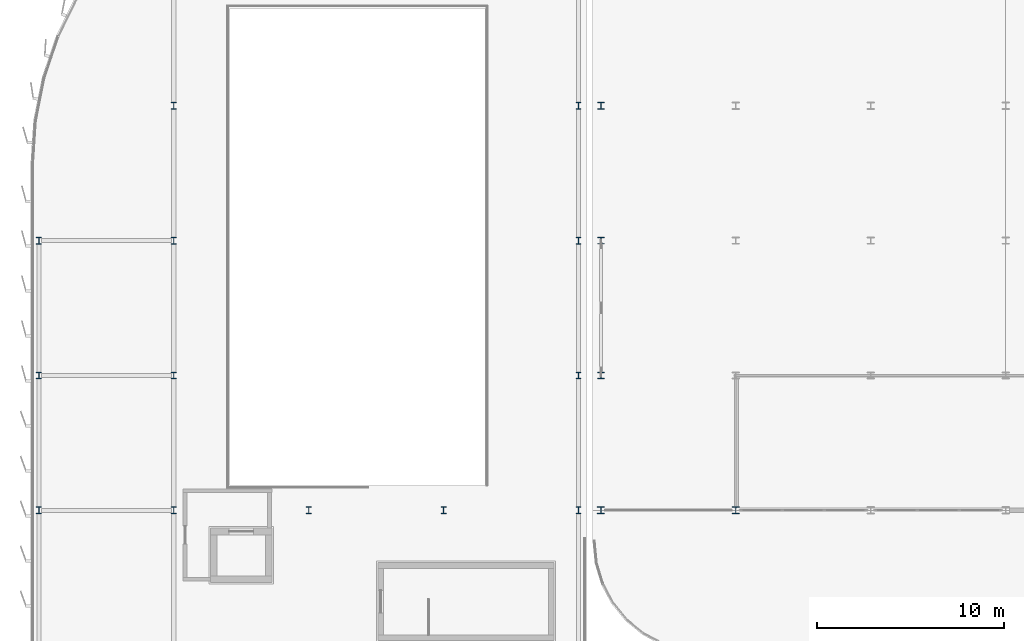
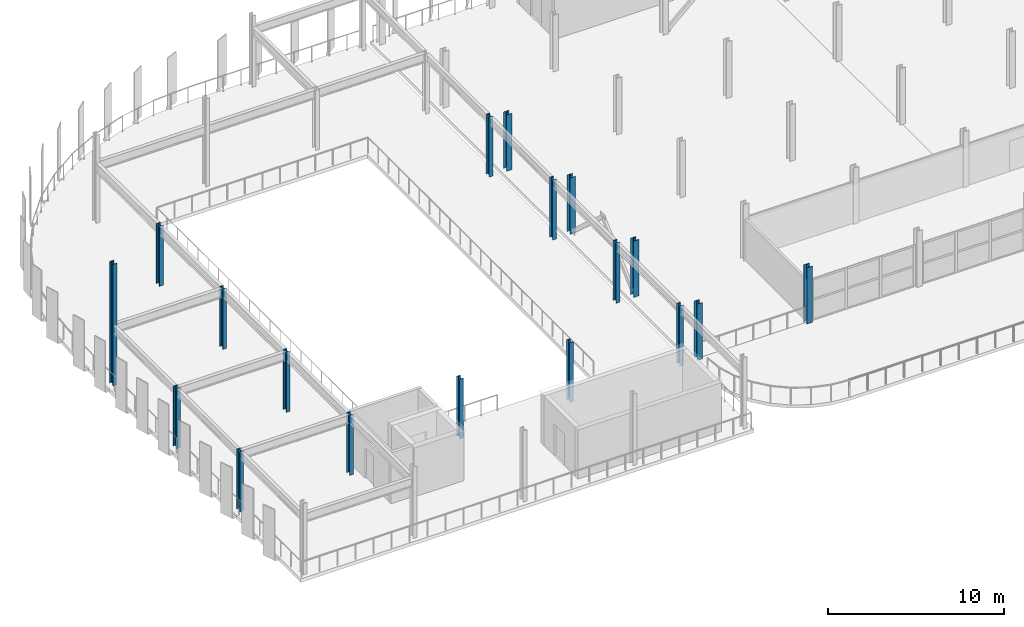
# One storey, part 3 of 40: 18 columns.
"""IFC4 building model written with IfcOpenShell, lengths in metres."""

from ifc_helpers import new_model, si_unit, direction, frame, origin, origin_2d, place, context, subcontext, project, spatial, i_section, extrude, material, material_profile, profile_set, type_object, element, save


model = new_model("IFC4")

# Units and contexts
model_context = context("Model", 3, precision=1e-05, world=origin(), true_north=direction((0.0, 1.0)))
body_context = subcontext(model_context, "Body", "Model", "MODEL_VIEW")
ifc_project = project(units=[si_unit("LENGTHUNIT", "METRE"), si_unit("AREAUNIT", "SQUARE_METRE"), si_unit("VOLUMEUNIT", "CUBIC_METRE"), si_unit("PLANEANGLEUNIT", "RADIAN"), si_unit("MASSUNIT", "GRAM", prefix="KILO")], contexts=[model_context])

# Site, building, storey
site_placement = place(None, origin())
site = spatial("IfcSite", under=ifc_project, at=site_placement, CompositionType="ELEMENT")
building_placement = place(site_placement, origin())
building = spatial("IfcBuilding", under=site, at=building_placement, Name="Vaelcorin Mobility Hub", CompositionType="ELEMENT")
storey_placement = place(building_placement, frame((0.0, 0.0, 17.10009765625)))
storey = spatial("IfcBuildingStorey", under=building, at=storey_placement, Name="L04", CompositionType="ELEMENT", Elevation=17.10009765625)

# Columns
ifc_material = material(Name="Steel ASTM A992 Grade 50", Category="steel")
ifc_material_profile_1 = material_profile(ifc_material, i_section(OverallWidth=0.37109375, OverallDepth=0.363037109375, WebThickness=0.01318359375, FlangeThickness=0.021728515625, FilletRadius=0.014892578125, at=origin_2d()), Name="W14X109")
ifc_profile_set_1 = profile_set([ifc_material_profile_1], Name="Steel ASTM A992 Grade 50")
column_type_1 = type_object("IfcColumnType", Name="COL-W14X109", PredefinedType="COLUMN", material=ifc_profile_set_1)
for number, where, z_axis, x_axis, name in (
    (1, (36.0, 84.0, 0.0), (0.0, 0.0, 1.0), (1.0, 0.0, 0.0), "Column V4-X01Y02 L04"),
    (2, (43.199951171875, 84.0, 0.0), (0.0, 0.0, 1.0), (1.0, 0.0, 0.0), "Column V4-X02Y02 L04"),
):
    element("IfcColumn", number, at=place(storey_placement, frame(where, z_axis=z_axis, x_axis=x_axis)), inside=storey, type_object=column_type_1, Name=name, PredefinedType="COLUMN", context=body_context, shape_type="SweptSolid", body=[
        extrude(i_section(OverallWidth=0.37109375, OverallDepth=0.363037109375, WebThickness=0.01318359375, FlangeThickness=0.021728515625, FilletRadius=0.014892578125, at=origin_2d()), origin(), (0.0, 0.0, 1.0), 3.89990234375),
    ])
ifc_material_profile_2 = material_profile(ifc_material, i_section(OverallWidth=0.257080078125, OverallDepth=0.363037109375, WebThickness=0.012939453125, FlangeThickness=0.021728515625, FilletRadius=0.014892578125, at=origin_2d()), Name="W14X82")
ifc_profile_set_2 = profile_set([ifc_material_profile_2], Name="Steel ASTM A992 Grade 50")
column_type_2 = type_object("IfcColumnType", Name="COL-W14X82", PredefinedType="COLUMN", material=ifc_profile_set_2)
for number, where, z_axis, x_axis, name in (
    (3, (6.0, 84.0, 0.0), (0.0, 0.0, 1.0), (1.0, 0.0, 0.0), "Column V2W-G1x2 L04"),
    (4, (6.0, 91.199951171875, 0.0), (0.0, 0.0, 1.0), (1.0, 0.0, 0.0), "Column V2W-G1x3 L04"),
):
    element("IfcColumn", number, at=place(storey_placement, frame(where, z_axis=z_axis, x_axis=x_axis)), inside=storey, type_object=column_type_2, Name=name, PredefinedType="COLUMN", context=body_context, shape_type="SweptSolid", body=[
        extrude(i_section(OverallWidth=0.257080078125, OverallDepth=0.363037109375, WebThickness=0.012939453125, FlangeThickness=0.021728515625, FilletRadius=0.014892578125, at=origin_2d()), origin(), (0.0, 0.0, 1.0), 4.14990234375),
    ])
column_placement = place(storey_placement, frame((6.0, 98.39990234375, 0.0), z_axis=(0.0, 0.0, 1.0), x_axis=(1.0, 0.0, 0.0)))
element("IfcColumn", 5, at=column_placement, inside=storey, type_object=column_type_2, Name="Column V2W-G1x4 L04", PredefinedType="COLUMN", context=body_context, shape_type="SweptSolid", body=[
    extrude(i_section(OverallWidth=0.257080078125, OverallDepth=0.363037109375, WebThickness=0.012939453125, FlangeThickness=0.021728515625, FilletRadius=0.014892578125, at=origin_2d()), origin(), (0.0, 0.0, 1.0), 8.39990234375),
])
for number, where, z_axis, x_axis, name in (
    (6, (13.199951171875, 84.0, 0.0), (0.0, 0.0, 1.0), (1.0, 0.0, 0.0), "Column V2W-G2x2 L04"),
    (7, (13.199951171875, 91.199951171875, 0.0), (0.0, 0.0, 1.0), (1.0, 0.0, 0.0), "Column V2W-G2x3 L04"),
    (8, (13.199951171875, 98.39990234375, 0.0), (0.0, 0.0, 1.0), (1.0, 0.0, 0.0), "Column V2W-G2x4 L04"),
    (9, (13.199951171875, 105.60009765625, 0.0), (0.0, 0.0, 1.0), (1.0, 0.0, 0.0), "Column V2W-G2x5 L04"),
    (10, (20.39990234375, 84.0, 0.0), (0.0, 0.0, 1.0), (1.0, 0.0, 0.0), "Column V2W-G3x2 L04"),
    (11, (27.60009765625, 84.0, 0.0), (0.0, 0.0, 1.0), (1.0, 0.0, 0.0), "Column V2W-G4x2 L04"),
    (12, (34.800048828125, 84.0, 0.0), (0.0, 0.0, 1.0), (1.0, 0.0, 0.0), "Column V2W-G5x2 L04"),
    (13, (34.800048828125, 91.199951171875, 0.0), (0.0, 0.0, 1.0), (1.0, 0.0, 0.0), "Column V2W-G5x3 L04"),
    (14, (34.800048828125, 98.39990234375, 0.0), (0.0, 0.0, 1.0), (1.0, 0.0, 0.0), "Column V2W-G5x4 L04"),
    (15, (34.800048828125, 105.60009765625, 0.0), (0.0, 0.0, 1.0), (1.0, 0.0, 0.0), "Column V2W-G5x5 L04"),
):
    element("IfcColumn", number, at=place(storey_placement, frame(where, z_axis=z_axis, x_axis=x_axis)), inside=storey, type_object=column_type_2, Name=name, PredefinedType="COLUMN", context=body_context, shape_type="SweptSolid", body=[
        extrude(i_section(OverallWidth=0.257080078125, OverallDepth=0.363037109375, WebThickness=0.012939453125, FlangeThickness=0.021728515625, FilletRadius=0.014892578125, at=origin_2d()), origin(), (0.0, 0.0, 1.0), 4.14990234375),
    ])
ifc_material_profile_3 = material_profile(ifc_material, i_section(OverallWidth=0.367919921875, OverallDepth=0.35595703125, WebThickness=0.01123046875, FlangeThickness=0.01806640625, FilletRadius=0.014892578125, at=origin_2d()), Name="W14X90")
ifc_profile_set_3 = profile_set([ifc_material_profile_3], Name="Steel ASTM A992 Grade 50")
column_type_3 = type_object("IfcColumnType", Name="COL-W14X90", PredefinedType="COLUMN", material=ifc_profile_set_3)
for number, where, z_axis, x_axis, name in (
    (16, (36.0, 91.199951171875, 0.0), (0.0, 0.0, 1.0), (1.0, 0.0, 0.0), "Column V4-X01Y03 L04"),
    (17, (36.0, 98.39990234375, 0.0), (0.0, 0.0, 1.0), (1.0, 0.0, 0.0), "Column V4-X01Y04 L04"),
    (18, (36.0, 105.60009765625, 0.0), (0.0, 0.0, 1.0), (1.0, 0.0, 0.0), "Column V4-X01Y05 L04"),
):
    element("IfcColumn", number, at=place(storey_placement, frame(where, z_axis=z_axis, x_axis=x_axis)), inside=storey, type_object=column_type_3, Name=name, PredefinedType="COLUMN", context=body_context, shape_type="SweptSolid", body=[
        extrude(i_section(OverallWidth=0.367919921875, OverallDepth=0.35595703125, WebThickness=0.01123046875, FlangeThickness=0.01806640625, FilletRadius=0.014892578125, at=origin_2d()), origin(), (0.0, 0.0, 1.0), 3.89990234375),
    ])

save(model, "model.ifc")
